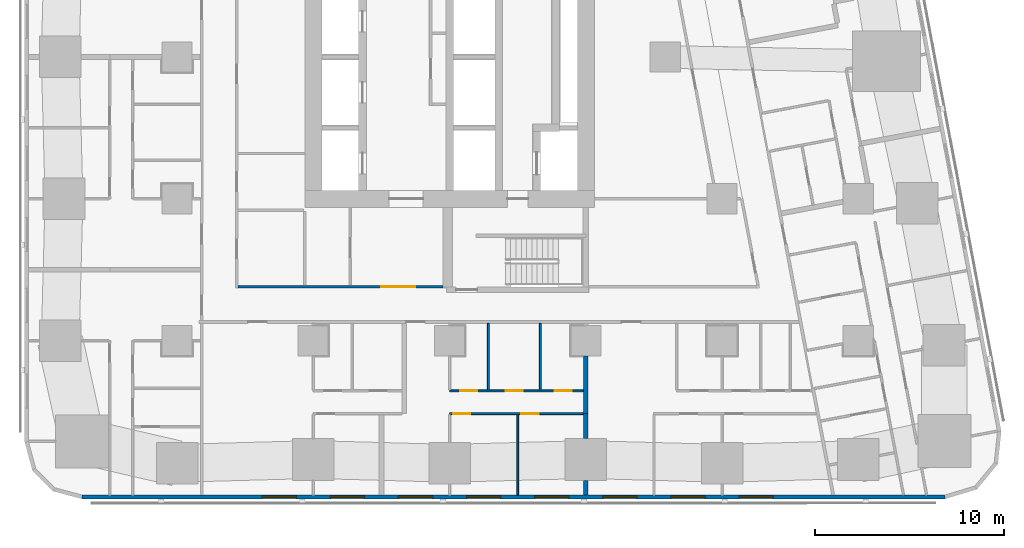
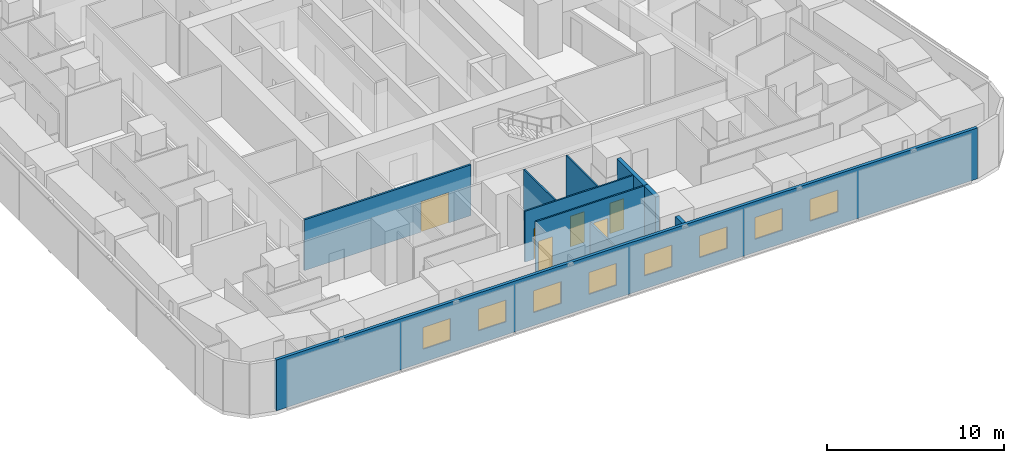
# One storey, part 3 of 17: 10 walls, 8 windows, 6 doors, 14 openings.
"""IFC4 building model written with IfcOpenShell, lengths in metres."""

from ifc_helpers import new_model, si_unit, direction, frame, frame_2d, origin, place, context, subcontext, project, spatial, rectangle, extrude, material, layer, layer_set, type_object, element, fill, save


model = new_model("IFC4")

# Units and contexts
model_context = context("Model", 3, precision=1e-05, world=origin(), true_north=direction((0.0, 1.0)))
body_context = subcontext(model_context, "Body", "Model", "MODEL_VIEW")
ifc_project = project(units=[si_unit("LENGTHUNIT", "METRE"), si_unit("AREAUNIT", "SQUARE_METRE"), si_unit("VOLUMEUNIT", "CUBIC_METRE"), si_unit("PLANEANGLEUNIT", "RADIAN"), si_unit("MASSUNIT", "GRAM", prefix="KILO")], contexts=[model_context])

# Site, building, storey
site_placement = place(None, origin())
site = spatial("IfcSite", under=ifc_project, at=site_placement, CompositionType="ELEMENT")
building_placement = place(site_placement, origin())
building = spatial("IfcBuilding", under=site, at=building_placement, Name="Sheger Commons Tower", CompositionType="ELEMENT")
storey_placement = place(building_placement, frame((0.0, 0.0, 119.14990234375)))
storey = spatial("IfcBuildingStorey", under=building, at=storey_placement, Name="L30", CompositionType="ELEMENT", Elevation=119.14990234375)

# Walls
ifc_material_1 = material(Name="Dense concrete block masonry, plastered both sides (separating wall between flats)", Category="masonry")
ifc_layer_1 = layer(ifc_material_1, 0.25)
ifc_layer_set_1 = layer_set([ifc_layer_1], Name="DEMISING WALL 250")
wall_type_1 = type_object("IfcWallType", Name="DEMISING WALL 250", PredefinedType="SOLIDWALL", material=ifc_layer_set_1)
wall_1_placement = place(storey_placement, frame((28.800048828125, -0.64990234375, 0.0), z_axis=(0.0, 0.0, 1.0), x_axis=(0.0, 1.0, 0.0)))
element("IfcWall", 1, at=wall_1_placement, inside=storey, type_object=wall_type_1, Name="Demising wall L30", PredefinedType="SOLIDWALL", context=body_context, shape_type="SweptSolid", body=[
    extrude(rectangle(XDim=0.77392578125, YDim=0.25, at=frame_2d((0.386962890625, 0.0))), origin(), (0.0, 0.0, 1.0), 3.5),
])
wall_2_placement = place(storey_placement, frame((28.800048828125, 2.325927734375, 0.0), z_axis=(0.0, 0.0, 1.0), x_axis=(0.0, 1.0, 0.0)))
element("IfcWall", 2, at=wall_2_placement, inside=storey, type_object=wall_type_1, Name="Demising wall L30", PredefinedType="SOLIDWALL", context=body_context, shape_type="SweptSolid", body=[
    extrude(rectangle(XDim=1.323974609375, YDim=0.25, at=frame_2d((0.662109375, 0.0))), origin(), (0.0, 0.0, 1.0), 3.5),
])
wall_3_placement = place(storey_placement, frame((28.800048828125, 3.64990234375, 0.0), z_axis=(0.0, 0.0, 1.0), x_axis=(0.0, 1.0, 0.0)))
element("IfcWall", 3, at=wall_3_placement, inside=storey, type_object=wall_type_1, Name="Demising wall L30", PredefinedType="SOLIDWALL", context=body_context, shape_type="SweptSolid", body=[
    extrude(rectangle(XDim=3.049072265625, YDim=0.25, at=frame_2d((1.5244140625, 0.0))), origin(), (0.0, 0.0, 1.0), 3.5),
])

# Wall, openings, windows
ifc_material_2 = material(Name="Rendered concrete block masonry, dark grey", Category="masonry")
ifc_layer_2 = layer(ifc_material_2, 0.199951171875)
ifc_layer_set_2 = layer_set([ifc_layer_2], Name="FACADE WALL 200")
wall_type_2 = type_object("IfcWallType", Name="FACADE WALL 200", PredefinedType="SOLIDWALL", material=ifc_layer_set_2)
wall_4_placement = place(storey_placement, frame((2.1630859375, -0.75, 0.0), z_axis=(0.0, 0.0, 1.0), x_axis=(1.0, 0.0, 0.0)))
wall_4 = element("IfcWall", 4, at=wall_4_placement, inside=storey, type_object=wall_type_2, Name="Facade wall L30", PredefinedType="SOLIDWALL", context=body_context, shape_type="SweptSolid", body=[
    extrude(rectangle(XDim=45.6279296875, YDim=0.199951171875, at=frame_2d((22.81396484375, 0.0))), origin(), (0.0, 0.0, 1.0), 3.5),
])
opening_1_placement = place(wall_4_placement, frame((9.537109375, 0.0, 0.89990234375)))
opening_1 = element("IfcOpeningElement", 5, at=opening_1_placement, cuts=wall_4, Name="Opening W2", PredefinedType="OPENING", context=body_context, shape_type="SweptSolid", body=[
    extrude(rectangle(XDim=1.800048828125, YDim=1.5, at=frame_2d((0.89990234375, 0.75))), frame((0.0, 0.10986328125, 0.0), z_axis=(0.0, -1.0, 0.0), x_axis=(1.0, 0.0, 0.0)), (0.0, 0.0, 1.0), 0.219970703125),
])
opening_2_placement = place(wall_4_placement, frame((13.136962890625, 0.0, 0.89990234375)))
opening_2 = element("IfcOpeningElement", 6, at=opening_2_placement, cuts=wall_4, Name="Opening W2", PredefinedType="OPENING", context=body_context, shape_type="SweptSolid", body=[
    extrude(rectangle(XDim=1.800048828125, YDim=1.5, at=frame_2d((0.89990234375, 0.75))), frame((0.0, 0.10986328125, 0.0), z_axis=(0.0, -1.0, 0.0), x_axis=(1.0, 0.0, 0.0)), (0.0, 0.0, 1.0), 0.219970703125),
])
opening_3_placement = place(wall_4_placement, frame((16.737060546875, 0.0, 0.89990234375)))
opening_3 = element("IfcOpeningElement", 7, at=opening_3_placement, cuts=wall_4, Name="Opening W2", PredefinedType="OPENING", context=body_context, shape_type="SweptSolid", body=[
    extrude(rectangle(XDim=1.800048828125, YDim=1.5, at=frame_2d((0.89990234375, 0.75))), frame((0.0, 0.10986328125, 0.0), z_axis=(0.0, -1.0, 0.0), x_axis=(1.0, 0.0, 0.0)), (0.0, 0.0, 1.0), 0.219970703125),
])
opening_4_placement = place(wall_4_placement, frame((20.3369140625, 0.0, 0.89990234375)))
opening_4 = element("IfcOpeningElement", 8, at=opening_4_placement, cuts=wall_4, Name="Opening W2", PredefinedType="OPENING", context=body_context, shape_type="SweptSolid", body=[
    extrude(rectangle(XDim=1.800048828125, YDim=1.5, at=frame_2d((0.89990234375, 0.75))), frame((0.0, 0.10986328125, 0.0), z_axis=(0.0, -1.0, 0.0), x_axis=(1.0, 0.0, 0.0)), (0.0, 0.0, 1.0), 0.219970703125),
])
opening_5_placement = place(wall_4_placement, frame((23.93701171875, 0.0, 0.89990234375)))
opening_5 = element("IfcOpeningElement", 9, at=opening_5_placement, cuts=wall_4, Name="Opening W2", PredefinedType="OPENING", context=body_context, shape_type="SweptSolid", body=[
    extrude(rectangle(XDim=1.800048828125, YDim=1.5, at=frame_2d((0.89990234375, 0.75))), frame((0.0, 0.10986328125, 0.0), z_axis=(0.0, -1.0, 0.0), x_axis=(1.0, 0.0, 0.0)), (0.0, 0.0, 1.0), 0.219970703125),
])
opening_6_placement = place(wall_4_placement, frame((27.537109375, 0.0, 0.89990234375)))
opening_6 = element("IfcOpeningElement", 10, at=opening_6_placement, cuts=wall_4, Name="Opening W2", PredefinedType="OPENING", context=body_context, shape_type="SweptSolid", body=[
    extrude(rectangle(XDim=1.800048828125, YDim=1.5, at=frame_2d((0.89990234375, 0.75))), frame((0.0, 0.10986328125, 0.0), z_axis=(0.0, -1.0, 0.0), x_axis=(1.0, 0.0, 0.0)), (0.0, 0.0, 1.0), 0.219970703125),
])
opening_7_placement = place(wall_4_placement, frame((31.136962890625, 0.0, 0.89990234375)))
opening_7 = element("IfcOpeningElement", 11, at=opening_7_placement, cuts=wall_4, Name="Opening W2", PredefinedType="OPENING", context=body_context, shape_type="SweptSolid", body=[
    extrude(rectangle(XDim=1.800048828125, YDim=1.5, at=frame_2d((0.89990234375, 0.75))), frame((0.0, 0.10986328125, 0.0), z_axis=(0.0, -1.0, 0.0), x_axis=(1.0, 0.0, 0.0)), (0.0, 0.0, 1.0), 0.219970703125),
])
opening_8_placement = place(wall_4_placement, frame((34.737060546875, 0.0, 0.89990234375)))
opening_8 = element("IfcOpeningElement", 12, at=opening_8_placement, cuts=wall_4, Name="Opening W2", PredefinedType="OPENING", context=body_context, shape_type="SweptSolid", body=[
    extrude(rectangle(XDim=1.800048828125, YDim=1.5, at=frame_2d((0.89990234375, 0.75))), frame((0.0, 0.10986328125, 0.0), z_axis=(0.0, -1.0, 0.0), x_axis=(1.0, 0.0, 0.0)), (0.0, 0.0, 1.0), 0.219970703125),
])
ifc_material_3 = material(Name="Black aluminium frame, dark tinted double glazing", Category="aluminium")
window_type = type_object("IfcWindowType", Name="WINDOW W2 1800x1500", PartitioningType="SINGLE_PANEL", PredefinedType="WINDOW", material=ifc_material_3)
window_1_placement = place(opening_1_placement, origin())
window_1 = element("IfcWindow", 13, at=window_1_placement, inside=storey, type_object=window_type, Name="Window W2 1800X1500", OverallHeight=1.5, OverallWidth=1.800048828125, PartitioningType="SINGLE_PANEL", PredefinedType="WINDOW", context=body_context, shape_type="SweptSolid", body=[
    extrude(rectangle(XDim=1.800048828125, YDim=1.5, at=frame_2d((0.89990234375, 0.75))), frame((0.0, 0.030029296875, 0.0), z_axis=(0.0, -1.0, 0.0), x_axis=(1.0, 0.0, 0.0)), (0.0, 0.0, 1.0), 0.06005859375),
])
fill(opening_1, window_1)
window_2_placement = place(opening_2_placement, origin())
window_2 = element("IfcWindow", 14, at=window_2_placement, inside=storey, type_object=window_type, Name="Window W2 1800X1500", OverallHeight=1.5, OverallWidth=1.800048828125, PartitioningType="SINGLE_PANEL", PredefinedType="WINDOW", context=body_context, shape_type="SweptSolid", body=[
    extrude(rectangle(XDim=1.800048828125, YDim=1.5, at=frame_2d((0.89990234375, 0.75))), frame((0.0, 0.030029296875, 0.0), z_axis=(0.0, -1.0, 0.0), x_axis=(1.0, 0.0, 0.0)), (0.0, 0.0, 1.0), 0.06005859375),
])
fill(opening_2, window_2)
window_3_placement = place(opening_3_placement, origin())
window_3 = element("IfcWindow", 15, at=window_3_placement, inside=storey, type_object=window_type, Name="Window W2 1800X1500", OverallHeight=1.5, OverallWidth=1.800048828125, PartitioningType="SINGLE_PANEL", PredefinedType="WINDOW", context=body_context, shape_type="SweptSolid", body=[
    extrude(rectangle(XDim=1.800048828125, YDim=1.5, at=frame_2d((0.89990234375, 0.75))), frame((0.0, 0.030029296875, 0.0), z_axis=(0.0, -1.0, 0.0), x_axis=(1.0, 0.0, 0.0)), (0.0, 0.0, 1.0), 0.06005859375),
])
fill(opening_3, window_3)
window_4_placement = place(opening_4_placement, origin())
window_4 = element("IfcWindow", 16, at=window_4_placement, inside=storey, type_object=window_type, Name="Window W2 1800X1500", OverallHeight=1.5, OverallWidth=1.800048828125, PartitioningType="SINGLE_PANEL", PredefinedType="WINDOW", context=body_context, shape_type="SweptSolid", body=[
    extrude(rectangle(XDim=1.800048828125, YDim=1.5, at=frame_2d((0.89990234375, 0.75))), frame((0.0, 0.030029296875, 0.0), z_axis=(0.0, -1.0, 0.0), x_axis=(1.0, 0.0, 0.0)), (0.0, 0.0, 1.0), 0.06005859375),
])
fill(opening_4, window_4)
window_5_placement = place(opening_5_placement, origin())
window_5 = element("IfcWindow", 17, at=window_5_placement, inside=storey, type_object=window_type, Name="Window W2 1800X1500", OverallHeight=1.5, OverallWidth=1.800048828125, PartitioningType="SINGLE_PANEL", PredefinedType="WINDOW", context=body_context, shape_type="SweptSolid", body=[
    extrude(rectangle(XDim=1.800048828125, YDim=1.5, at=frame_2d((0.89990234375, 0.75))), frame((0.0, 0.030029296875, 0.0), z_axis=(0.0, -1.0, 0.0), x_axis=(1.0, 0.0, 0.0)), (0.0, 0.0, 1.0), 0.06005859375),
])
fill(opening_5, window_5)
window_6_placement = place(opening_6_placement, origin())
window_6 = element("IfcWindow", 18, at=window_6_placement, inside=storey, type_object=window_type, Name="Window W2 1800X1500", OverallHeight=1.5, OverallWidth=1.800048828125, PartitioningType="SINGLE_PANEL", PredefinedType="WINDOW", context=body_context, shape_type="SweptSolid", body=[
    extrude(rectangle(XDim=1.800048828125, YDim=1.5, at=frame_2d((0.89990234375, 0.75))), frame((0.0, 0.030029296875, 0.0), z_axis=(0.0, -1.0, 0.0), x_axis=(1.0, 0.0, 0.0)), (0.0, 0.0, 1.0), 0.06005859375),
])
fill(opening_6, window_6)
window_7_placement = place(opening_7_placement, origin())
window_7 = element("IfcWindow", 19, at=window_7_placement, inside=storey, type_object=window_type, Name="Window W2 1800X1500", OverallHeight=1.5, OverallWidth=1.800048828125, PartitioningType="SINGLE_PANEL", PredefinedType="WINDOW", context=body_context, shape_type="SweptSolid", body=[
    extrude(rectangle(XDim=1.800048828125, YDim=1.5, at=frame_2d((0.89990234375, 0.75))), frame((0.0, 0.030029296875, 0.0), z_axis=(0.0, -1.0, 0.0), x_axis=(1.0, 0.0, 0.0)), (0.0, 0.0, 1.0), 0.06005859375),
])
fill(opening_7, window_7)
window_8_placement = place(opening_8_placement, origin())
window_8 = element("IfcWindow", 20, at=window_8_placement, inside=storey, type_object=window_type, Name="Window W2 1800X1500", OverallHeight=1.5, OverallWidth=1.800048828125, PartitioningType="SINGLE_PANEL", PredefinedType="WINDOW", context=body_context, shape_type="SweptSolid", body=[
    extrude(rectangle(XDim=1.800048828125, YDim=1.5, at=frame_2d((0.89990234375, 0.75))), frame((0.0, 0.030029296875, 0.0), z_axis=(0.0, -1.0, 0.0), x_axis=(1.0, 0.0, 0.0)), (0.0, 0.0, 1.0), 0.06005859375),
])
fill(opening_8, window_8)

# Wall, openings, doors
ifc_material_4 = material(Name="Gypsum board on steel studs", Category="steel")
ifc_layer_3 = layer(ifc_material_4, 0.10009765625)
ifc_layer_set_3 = layer_set([ifc_layer_3], Name="PARTITION 100")
wall_type_3 = type_object("IfcWallType", Name="PARTITION 100", PredefinedType="PARTITIONING", material=ifc_layer_set_3)
wall_5_placement = place(storey_placement, frame((28.675048828125, 3.64990234375, 0.0), z_axis=(0.0, 0.0, 1.0), x_axis=(-1.0, 0.0, 0.0)))
wall_5 = element("IfcWall", 21, at=wall_5_placement, inside=storey, type_object=wall_type_3, Name="Partition L30", PredefinedType="PARTITIONING", context=body_context, shape_type="SweptSolid", body=[
    extrude(rectangle(XDim=7.074951171875, YDim=0.10009765625, at=frame_2d((3.53759765625, 0.0))), origin(), (0.0, 0.0, 1.0), 3.5),
])
opening_9_placement = place(wall_5_placement, frame((5.97509765625, 0.0, 0.0)))
opening_9 = element("IfcOpeningElement", 22, at=opening_9_placement, cuts=wall_5, Name="Opening D2", PredefinedType="OPENING", context=body_context, shape_type="SweptSolid", body=[
    extrude(rectangle(XDim=0.89990234375, YDim=2.10009765625, at=frame_2d((0.449951171875, 1.050048828125))), frame((0.0, 0.06005859375, 0.0), z_axis=(0.0, -1.0, 0.0), x_axis=(1.0, 0.0, 0.0)), (0.0, 0.0, 1.0), 0.1201171875),
])
opening_10_placement = place(wall_5_placement, frame((2.375, 0.0, 0.0)))
opening_10 = element("IfcOpeningElement", 23, at=opening_10_placement, cuts=wall_5, Name="Opening D2", PredefinedType="OPENING", context=body_context, shape_type="SweptSolid", body=[
    extrude(rectangle(XDim=0.89990234375, YDim=2.10009765625, at=frame_2d((0.449951171875, 1.050048828125))), frame((0.0, 0.06005859375, 0.0), z_axis=(0.0, -1.0, 0.0), x_axis=(1.0, 0.0, 0.0)), (0.0, 0.0, 1.0), 0.1201171875),
])
ifc_material_5 = material(Name="Timber door set", Category="wood")
door_type_1 = type_object("IfcDoorType", Name="INTERNAL DOOR 900x2100", OperationType="NOTDEFINED", PredefinedType="DOOR", material=ifc_material_5)
door_1_placement = place(opening_9_placement, origin())
door_1 = element("IfcDoor", 24, at=door_1_placement, inside=storey, type_object=door_type_1, Name="Main bedroom door", OperationType="SINGLE_SWING_RIGHT", OverallHeight=2.10009765625, OverallWidth=0.89990234375, PredefinedType="DOOR", context=body_context, shape_type="SweptSolid", body=[
    extrude(rectangle(XDim=0.89990234375, YDim=2.10009765625, at=frame_2d((0.449951171875, 1.050048828125))), frame((0.0, 0.02490234375, 0.0), z_axis=(0.0, -1.0, 0.0), x_axis=(1.0, 0.0, 0.0)), (0.0, 0.0, 1.0), 0.050048828125),
])
fill(opening_9, door_1)
door_2_placement = place(opening_10_placement, origin())
door_2 = element("IfcDoor", 25, at=door_2_placement, inside=storey, type_object=door_type_1, Name="Bedroom 2 door", OperationType="SINGLE_SWING_RIGHT", OverallHeight=2.10009765625, OverallWidth=0.89990234375, PredefinedType="DOOR", context=body_context, shape_type="SweptSolid", body=[
    extrude(rectangle(XDim=0.89990234375, YDim=2.10009765625, at=frame_2d((0.449951171875, 1.050048828125))), frame((0.0, 0.02490234375, 0.0), z_axis=(0.0, -1.0, 0.0), x_axis=(1.0, 0.0, 0.0)), (0.0, 0.0, 1.0), 0.050048828125),
])
fill(opening_10, door_2)

wall_6_placement = place(storey_placement, frame((28.675048828125, 4.85009765625, 0.0), z_axis=(0.0, 0.0, 1.0), x_axis=(-1.0, 0.0, 0.0)))
wall_6 = element("IfcWall", 26, at=wall_6_placement, inside=storey, type_object=wall_type_3, Name="Partition L30", PredefinedType="PARTITIONING", context=body_context, shape_type="SweptSolid", body=[
    extrude(rectangle(XDim=7.074951171875, YDim=0.10009765625, at=frame_2d((3.53759765625, 0.0))), origin(), (0.0, 0.0, 1.0), 3.5),
])
opening_11_placement = place(wall_6_placement, frame((5.60009765625, 0.0, 0.0)))
opening_11 = element("IfcOpeningElement", 27, at=opening_11_placement, cuts=wall_6, Name="Opening D2", PredefinedType="OPENING", context=body_context, shape_type="SweptSolid", body=[
    extrude(rectangle(XDim=0.89990234375, YDim=2.10009765625, at=frame_2d((0.449951171875, 1.050048828125))), frame((0.0, 0.06005859375, 0.0), z_axis=(0.0, -1.0, 0.0), x_axis=(1.0, 0.0, 0.0)), (0.0, 0.0, 1.0), 0.1201171875),
])
opening_12_placement = place(wall_6_placement, frame((0.6259765625, 0.0, 0.0)))
opening_12 = element("IfcOpeningElement", 28, at=opening_12_placement, cuts=wall_6, Name="Opening D2", PredefinedType="OPENING", context=body_context, shape_type="SweptSolid", body=[
    extrude(rectangle(XDim=0.89990234375, YDim=2.10009765625, at=frame_2d((0.449951171875, 1.050048828125))), frame((0.0, 0.06005859375, 0.0), z_axis=(0.0, -1.0, 0.0), x_axis=(1.0, 0.0, 0.0)), (0.0, 0.0, 1.0), 0.1201171875),
])
opening_13_placement = place(wall_6_placement, frame((3.200927734375, 0.0, 0.0)))
opening_13 = element("IfcOpeningElement", 29, at=opening_13_placement, cuts=wall_6, Name="Opening D2", PredefinedType="OPENING", context=body_context, shape_type="SweptSolid", body=[
    extrude(rectangle(XDim=0.89990234375, YDim=2.10009765625, at=frame_2d((0.449951171875, 1.050048828125))), frame((0.0, 0.06005859375, 0.0), z_axis=(0.0, -1.0, 0.0), x_axis=(1.0, 0.0, 0.0)), (0.0, 0.0, 1.0), 0.1201171875),
])
door_3_placement = place(opening_11_placement, origin())
door_3 = element("IfcDoor", 30, at=door_3_placement, inside=storey, type_object=door_type_1, Name="Bathroom door", OperationType="SINGLE_SWING_LEFT", OverallHeight=2.10009765625, OverallWidth=0.89990234375, PredefinedType="DOOR", context=body_context, shape_type="SweptSolid", body=[
    extrude(rectangle(XDim=0.89990234375, YDim=2.10009765625, at=frame_2d((0.449951171875, 1.050048828125))), frame((0.0, 0.02490234375, 0.0), z_axis=(0.0, -1.0, 0.0), x_axis=(1.0, 0.0, 0.0)), (0.0, 0.0, 1.0), 0.050048828125),
])
fill(opening_11, door_3)
door_4_placement = place(opening_12_placement, origin())
door_4 = element("IfcDoor", 31, at=door_4_placement, inside=storey, type_object=door_type_1, Name="Laundry room door", OperationType="SINGLE_SWING_RIGHT", OverallHeight=2.10009765625, OverallWidth=0.89990234375, PredefinedType="DOOR", context=body_context, shape_type="SweptSolid", body=[
    extrude(rectangle(XDim=0.89990234375, YDim=2.10009765625, at=frame_2d((0.449951171875, 1.050048828125))), frame((0.0, 0.02490234375, 0.0), z_axis=(0.0, -1.0, 0.0), x_axis=(1.0, 0.0, 0.0)), (0.0, 0.0, 1.0), 0.050048828125),
])
fill(opening_12, door_4)
door_5_placement = place(opening_13_placement, origin())
door_5 = element("IfcDoor", 32, at=door_5_placement, inside=storey, type_object=door_type_1, Name="Store door", OperationType="SINGLE_SWING_LEFT", OverallHeight=2.10009765625, OverallWidth=0.89990234375, PredefinedType="DOOR", context=body_context, shape_type="SweptSolid", body=[
    extrude(rectangle(XDim=0.89990234375, YDim=2.10009765625, at=frame_2d((0.449951171875, 1.050048828125))), frame((0.0, 0.02490234375, 0.0), z_axis=(0.0, -1.0, 0.0), x_axis=(1.0, 0.0, 0.0)), (0.0, 0.0, 1.0), 0.050048828125),
])
fill(opening_13, door_5)

# Walls
wall_7_placement = place(storey_placement, frame((25.199951171875, -0.64990234375, 0.0), z_axis=(0.0, 0.0, 1.0), x_axis=(0.0, 1.0, 0.0)))
element("IfcWall", 33, at=wall_7_placement, inside=storey, type_object=wall_type_3, Name="Partition L30", PredefinedType="PARTITIONING", context=body_context, shape_type="SweptSolid", body=[
    extrude(rectangle(XDim=4.25, YDim=0.10009765625, at=frame_2d((2.125, 0.0))), origin(), (0.0, 0.0, 1.0), 2.2001953125),
])
for number, where, z_axis, x_axis, name in (
    (34, (26.39892578125, 4.89990234375, 0.0), (0.0, 0.0, 1.0), (0.0, 1.0, 0.0), "Partition L30"),
    (35, (23.64990234375, 4.89990234375, 0.0), (0.0, 0.0, 1.0), (0.0, 1.0, 0.0), "Partition L30"),
):
    element("IfcWall", number, at=place(storey_placement, frame(where, z_axis=z_axis, x_axis=x_axis)), inside=storey, type_object=wall_type_3, Name=name, PredefinedType="PARTITIONING", context=body_context, shape_type="SweptSolid", body=[
        extrude(rectangle(XDim=3.525146484375, YDim=0.10009765625, at=frame_2d((1.7626953125, 0.0))), origin(), (0.0, 0.0, 1.0), 3.5),
    ])

# Wall, opening, door
ifc_material_6 = material(Name="Gypsum board on steel studs, two layers each side, fire rated", Category="steel")
ifc_layer_4 = layer(ifc_material_6, 0.125)
ifc_layer_set_4 = layer_set([ifc_layer_4], Name="SERVICE WALL 125")
wall_type_4 = type_object("IfcWallType", Name="SERVICE WALL 125", PredefinedType="PARTITIONING", material=ifc_layer_set_4)
wall_8_placement = place(storey_placement, frame((10.4130859375, 10.35009765625, 0.0), z_axis=(0.0, 0.0, 1.0), x_axis=(1.0, 0.0, 0.0)))
wall_8 = element("IfcWall", 36, at=wall_8_placement, inside=storey, type_object=wall_type_4, Name="Service room wall L30", PredefinedType="PARTITIONING", context=body_context, shape_type="SweptSolid", body=[
    extrude(rectangle(XDim=10.8369140625, YDim=0.125, at=frame_2d((5.41845703125, 0.0))), origin(), (0.0, 0.0, 1.0), 3.5),
])
opening_14_placement = place(wall_8_placement, frame((7.58203125, 0.0, 0.0)))
opening_14 = element("IfcOpeningElement", 37, at=opening_14_placement, cuts=wall_8, Name="Opening D6", PredefinedType="OPENING", context=body_context, shape_type="SweptSolid", body=[
    extrude(rectangle(XDim=1.800048828125, YDim=2.10009765625, at=frame_2d((0.89990234375, 1.050048828125))), frame((0.0, 0.072509765625, 0.0), z_axis=(0.0, -1.0, 0.0), x_axis=(1.0, 0.0, 0.0)), (0.0, 0.0, 1.0), 0.14501953125),
])
ifc_material_7 = material(Name="Steel door set, fire rated", Category="steel")
door_type_2 = type_object("IfcDoorType", Name="LOBBY DOUBLE DOOR 1800x2100", OperationType="DOUBLE_DOOR_SINGLE_SWING", PredefinedType="DOOR", material=ifc_material_7)
door_6_placement = place(opening_14_placement, origin())
door_6 = element("IfcDoor", 38, at=door_6_placement, inside=storey, type_object=door_type_2, Name="Lift lobby south door", OperationType="DOUBLE_DOOR_SINGLE_SWING", OverallHeight=2.10009765625, OverallWidth=1.800048828125, PredefinedType="DOOR", context=body_context, shape_type="SweptSolid", body=[
    extrude(rectangle(XDim=1.800048828125, YDim=2.10009765625, at=frame_2d((0.89990234375, 1.050048828125))), frame((0.0, 0.02490234375, 0.0), z_axis=(0.0, -1.0, 0.0), x_axis=(1.0, 0.0, 0.0)), (0.0, 0.0, 1.0), 0.050048828125),
])
fill(opening_14, door_6)

save(model, "model.ifc")
